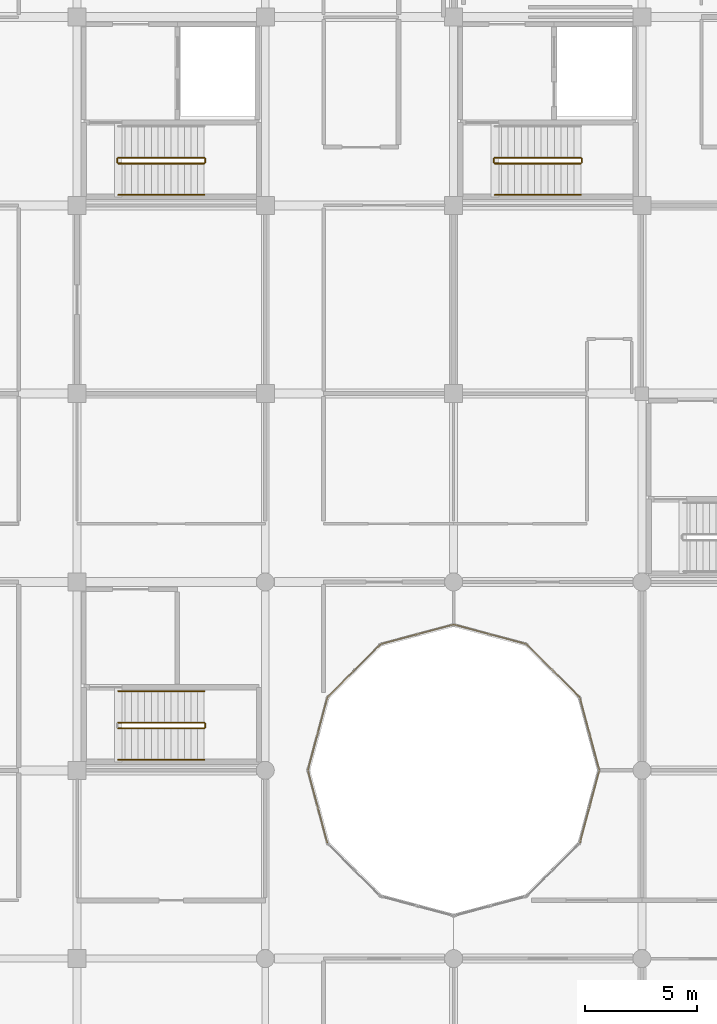
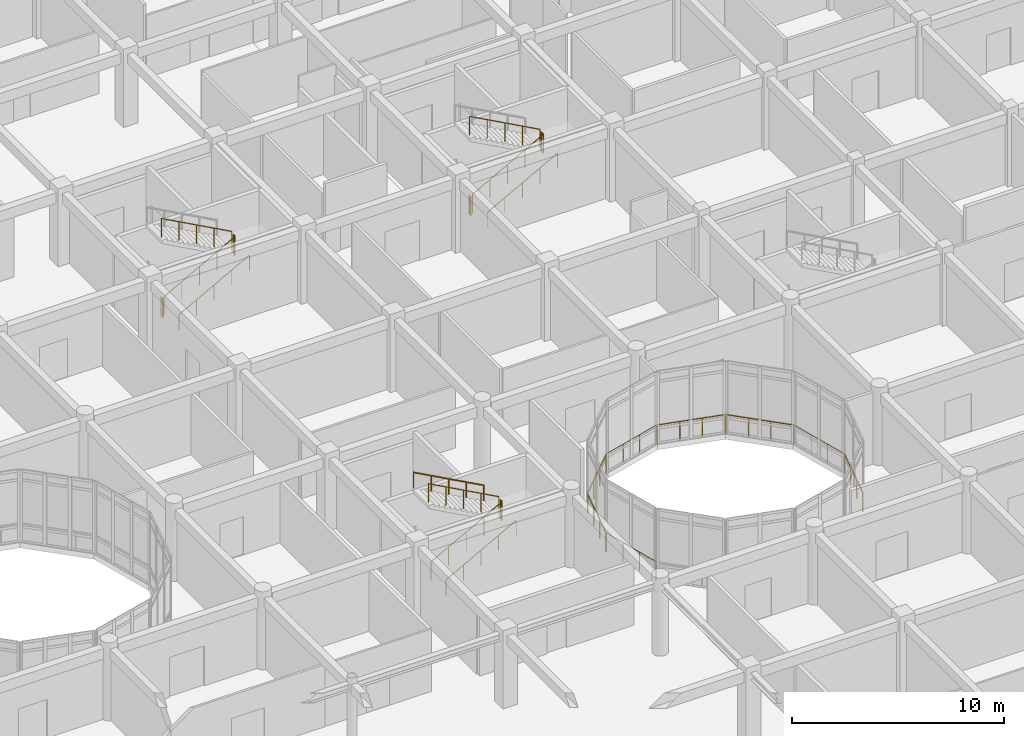
# One storey, part 137 of 144: 23 railings.
"""IFC4 building model written with IfcOpenShell, lengths in metres."""

from ifc_helpers import new_model, si_unit, direction, frame, origin, origin_2d, place, context, subcontext, project, spatial, circle, extrude, material, type_object, element, save


model = new_model("IFC4")

# Units and contexts
model_context = context("Model", 3, precision=1e-05, world=origin(), true_north=direction((0.0, 1.0)))
body_context = subcontext(model_context, "Body", "Model", "MODEL_VIEW")
ifc_project = project(units=[si_unit("LENGTHUNIT", "METRE"), si_unit("AREAUNIT", "SQUARE_METRE"), si_unit("VOLUMEUNIT", "CUBIC_METRE"), si_unit("PLANEANGLEUNIT", "RADIAN"), si_unit("MASSUNIT", "GRAM", prefix="KILO")], contexts=[model_context])

# Site, building, storey
site_placement = place(None, origin())
site = spatial("IfcSite", under=ifc_project, at=site_placement, CompositionType="ELEMENT")
building_placement = place(site_placement, origin())
building = spatial("IfcBuilding", under=site, at=building_placement, Name="Bramfleet General Hospital", CompositionType="ELEMENT")
storey_placement = place(building_placement, frame((0.0, 0.0, 4.800048828125)))
storey = spatial("IfcBuildingStorey", under=building, at=storey_placement, Name="L01", CompositionType="ELEMENT", Elevation=4.800048828125)

# Railings
ifc_material_1 = material(Name="Stainless steel 1.4401 safety balustrade", Category="steel")
railing_type_1 = type_object("IfcRailingType", Name="RAIL-EXT-GUARD", PredefinedType="GUARDRAIL", material=ifc_material_1)
railing_1_placement = place(storey_placement, frame((111.10595703125, 67.16455078125, 0.0)))
element("IfcRailing", 1, at=railing_1_placement, inside=storey, type_object=railing_type_1, Name="L01 Safety Guard Rail 61", PredefinedType="GUARDRAIL", context=body_context, shape_type="SweptSolid", body=[
    extrude(circle(Radius=0.02392578125, at=origin_2d()), frame((0.0, 0.0, 1.076171875), z_axis=(0.25882996935, -0.96592289908, 0.0), x_axis=(0.96592289908, 0.25882996935, 0.0)), (0.0, 0.0, 1.0), 3.29296875),
    extrude(circle(Radius=0.02099609375, at=origin_2d()), origin(), (0.0, 0.0, 1.0), 1.052001953125),
    extrude(circle(Radius=0.02099609375, at=origin_2d()), frame((0.2841796875, -1.060302734375, 0.0)), (0.0, 0.0, 1.0), 1.052001953125),
    extrude(circle(Radius=0.02099609375, at=origin_2d()), frame((0.568115234375, -2.120361328125, 0.0)), (0.0, 0.0, 1.0), 1.052001953125),
    extrude(circle(Radius=0.02099609375, at=origin_2d()), frame((0.852294921875, -3.1806640625, 0.0)), (0.0, 0.0, 1.0), 1.052001953125),
])
railing_2_placement = place(storey_placement, frame((123.24169921875, 63.98388671875, 0.0)))
element("IfcRailing", 2, at=railing_2_placement, inside=storey, type_object=railing_type_1, Name="L01 Safety Guard Rail 66", PredefinedType="GUARDRAIL", context=body_context, shape_type="SweptSolid", body=[
    extrude(circle(Radius=0.02392578125, at=origin_2d()), frame((0.0, 0.0, 1.076171875), z_axis=(0.25882996935, 0.96592289908, 0.0), x_axis=(-0.96592289908, 0.25882996935, 0.0)), (0.0, 0.0, 1.0), 3.29296875),
    extrude(circle(Radius=0.02099609375, at=origin_2d()), origin(), (0.0, 0.0, 1.0), 1.052001953125),
    extrude(circle(Radius=0.02099609375, at=origin_2d()), frame((0.2841796875, 1.060302734375, 0.0)), (0.0, 0.0, 1.0), 1.052001953125),
    extrude(circle(Radius=0.02099609375, at=origin_2d()), frame((0.568115234375, 2.120361328125, 0.0)), (0.0, 0.0, 1.0), 1.052001953125),
    extrude(circle(Radius=0.02099609375, at=origin_2d()), frame((0.852294921875, 3.1806640625, 0.0)), (0.0, 0.0, 1.0), 1.052001953125),
])
railing_3_placement = place(storey_placement, frame((124.093994140625, 67.235595703125, 0.0)))
element("IfcRailing", 3, at=railing_3_placement, inside=storey, type_object=railing_type_1, Name="L01 Safety Guard Rail 67", PredefinedType="GUARDRAIL", context=body_context, shape_type="SweptSolid", body=[
    extrude(circle(Radius=0.02392578125, at=origin_2d()), frame((0.0, 0.0, 1.076171875), z_axis=(-0.25882996935, 0.96592289908, 0.0), x_axis=(-0.96592289908, -0.25882996935, 0.0)), (0.0, 0.0, 1.0), 3.29296875),
    extrude(circle(Radius=0.02099609375, at=origin_2d()), origin(), (0.0, 0.0, 1.0), 1.052001953125),
    extrude(circle(Radius=0.02099609375, at=origin_2d()), frame((-0.2841796875, 1.060302734375, 0.0)), (0.0, 0.0, 1.0), 1.052001953125),
    extrude(circle(Radius=0.02099609375, at=origin_2d()), frame((-0.568115234375, 2.120361328125, 0.0)), (0.0, 0.0, 1.0), 1.052001953125),
    extrude(circle(Radius=0.02099609375, at=origin_2d()), frame((-0.852294921875, 3.1806640625, 0.0)), (0.0, 0.0, 1.0), 1.052001953125),
])
railing_4_placement = place(storey_placement, frame((123.206298828125, 70.477783203125, 0.0)))
element("IfcRailing", 4, at=railing_4_placement, inside=storey, type_object=railing_type_1, Name="L01 Safety Guard Rail 68", PredefinedType="GUARDRAIL", context=body_context, shape_type="SweptSolid", body=[
    extrude(circle(Radius=0.02392578125, at=origin_2d()), frame((0.0, 0.0, 1.076171875), z_axis=(-0.707143850033, 0.707069710397, 0.0), x_axis=(-0.707069710397, -0.707143850033, 0.0)), (0.0, 0.0, 1.0), 3.29296875),
    extrude(circle(Radius=0.02099609375, at=origin_2d()), origin(), (0.0, 0.0, 1.0), 1.052001953125),
    extrude(circle(Radius=0.02099609375, at=origin_2d()), frame((-0.776123046875, 0.776123046875, 0.0)), (0.0, 0.0, 1.0), 1.052001953125),
    extrude(circle(Radius=0.02099609375, at=origin_2d()), frame((-1.552490234375, 1.55224609375, 0.0)), (0.0, 0.0, 1.0), 1.052001953125),
    extrude(circle(Radius=0.02099609375, at=origin_2d()), frame((-2.32861328125, 2.328369140625, 0.0)), (0.0, 0.0, 1.0), 1.052001953125),
])
railing_5_placement = place(storey_placement, frame((120.816162109375, 72.841796875, 0.0)))
element("IfcRailing", 5, at=railing_5_placement, inside=storey, type_object=railing_type_1, Name="L01 Safety Guard Rail 69", PredefinedType="GUARDRAIL", context=body_context, shape_type="SweptSolid", body=[
    extrude(circle(Radius=0.02392578125, at=origin_2d()), frame((0.0, 0.0, 1.076171875), z_axis=(-0.96592289908, 0.25882996935, 0.0), x_axis=(-0.25882996935, -0.96592289908, 0.0)), (0.0, 0.0, 1.0), 3.29296875),
    extrude(circle(Radius=0.02099609375, at=origin_2d()), origin(), (0.0, 0.0, 1.0), 1.052001953125),
    extrude(circle(Radius=0.02099609375, at=origin_2d()), frame((-1.060302734375, 0.2841796875, 0.0)), (0.0, 0.0, 1.0), 1.052001953125),
    extrude(circle(Radius=0.02099609375, at=origin_2d()), frame((-2.120361328125, 0.568115234375, 0.0)), (0.0, 0.0, 1.0), 1.052001953125),
    extrude(circle(Radius=0.02099609375, at=origin_2d()), frame((-3.1806640625, 0.852294921875, 0.0)), (0.0, 0.0, 1.0), 1.052001953125),
])
railing_6_placement = place(storey_placement, frame((117.564453125, 73.694091796875, 0.0)))
element("IfcRailing", 6, at=railing_6_placement, inside=storey, type_object=railing_type_1, Name="L01 Safety Guard Rail 70", PredefinedType="GUARDRAIL", context=body_context, shape_type="SweptSolid", body=[
    extrude(circle(Radius=0.02392578125, at=origin_2d()), frame((0.0, 0.0, 1.076171875), z_axis=(-0.96592289908, -0.25882996935, 0.0), x_axis=(0.25882996935, -0.96592289908, 0.0)), (0.0, 0.0, 1.0), 3.29296875),
    extrude(circle(Radius=0.02099609375, at=origin_2d()), origin(), (0.0, 0.0, 1.0), 1.052001953125),
    extrude(circle(Radius=0.02099609375, at=origin_2d()), frame((-1.060302734375, -0.2841796875, 0.0)), (0.0, 0.0, 1.0), 1.052001953125),
    extrude(circle(Radius=0.02099609375, at=origin_2d()), frame((-2.120361328125, -0.568115234375, 0.0)), (0.0, 0.0, 1.0), 1.052001953125),
    extrude(circle(Radius=0.02099609375, at=origin_2d()), frame((-3.1806640625, -0.852294921875, 0.0)), (0.0, 0.0, 1.0), 1.052001953125),
])
railing_7_placement = place(storey_placement, frame((114.322265625, 72.80615234375, 0.0)))
element("IfcRailing", 7, at=railing_7_placement, inside=storey, type_object=railing_type_1, Name="L01 Safety Guard Rail 71", PredefinedType="GUARDRAIL", context=body_context, shape_type="SweptSolid", body=[
    extrude(circle(Radius=0.02392578125, at=origin_2d()), frame((0.0, 0.0, 1.076171875), z_axis=(-0.707106781187, -0.707106781187, 0.0), x_axis=(0.707106781187, -0.707106781187, 0.0)), (0.0, 0.0, 1.0), 3.292724609375),
    extrude(circle(Radius=0.02099609375, at=origin_2d()), origin(), (0.0, 0.0, 1.0), 1.052001953125),
    extrude(circle(Radius=0.02099609375, at=origin_2d()), frame((-0.776123046875, -0.776123046875, 0.0)), (0.0, 0.0, 1.0), 1.052001953125),
    extrude(circle(Radius=0.02099609375, at=origin_2d()), frame((-1.55224609375, -1.55224609375, 0.0)), (0.0, 0.0, 1.0), 1.052001953125),
    extrude(circle(Radius=0.02099609375, at=origin_2d()), frame((-2.328369140625, -2.328369140625, 0.0)), (0.0, 0.0, 1.0), 1.052001953125),
])
railing_8_placement = place(storey_placement, frame((111.958251953125, 70.416259765625, 0.0)))
element("IfcRailing", 8, at=railing_8_placement, inside=storey, type_object=railing_type_1, Name="L01 Safety Guard Rail 72", PredefinedType="GUARDRAIL", context=body_context, shape_type="SweptSolid", body=[
    extrude(circle(Radius=0.02392578125, at=origin_2d()), frame((0.0, 0.0, 1.076171875), z_axis=(-0.25882996935, -0.96592289908, 0.0), x_axis=(0.96592289908, -0.25882996935, 0.0)), (0.0, 0.0, 1.0), 3.29296875),
    extrude(circle(Radius=0.02099609375, at=origin_2d()), origin(), (0.0, 0.0, 1.0), 1.052001953125),
    extrude(circle(Radius=0.02099609375, at=origin_2d()), frame((-0.2841796875, -1.060302734375, 0.0)), (0.0, 0.0, 1.0), 1.052001953125),
    extrude(circle(Radius=0.02099609375, at=origin_2d()), frame((-0.568115234375, -2.120361328125, 0.0)), (0.0, 0.0, 1.0), 1.052001953125),
    extrude(circle(Radius=0.02099609375, at=origin_2d()), frame((-0.852294921875, -3.1806640625, 0.0)), (0.0, 0.0, 1.0), 1.052001953125),
])
ifc_material_2 = material(Name="Powder-coated steel stair balustrade", Category="steel")
railing_type_2 = type_object("IfcRailingType", Name="RAIL-ST-GUARD", PredefinedType="GUARDRAIL", material=ifc_material_2)
railing_9_placement = place(storey_placement, frame((102.639892578125, 94.27001953125, 0.16064453125)))
element("IfcRailing", 9, at=railing_9_placement, inside=storey, type_object=railing_type_2, Name="L01 ST-C4 stair guard 1", PredefinedType="GUARDRAIL", context=body_context, shape_type="SweptSolid", body=[
    extrude(circle(Radius=0.02392578125, at=origin_2d()), frame((0.0, 0.0, 1.076171875), z_axis=(0.878143269688, 0.0, 0.478397740276), x_axis=(0.0, 1.0, 0.0)), (0.0, 0.0, 1.0), 4.367431640625),
    extrude(circle(Radius=0.02099609375, at=origin_2d()), origin(), (0.0, 0.0, 1.0), 1.052001953125),
    extrude(circle(Radius=0.02099609375, at=origin_2d()), frame((0.958740234375, 0.0, 0.5224609375)), (0.0, 0.0, 1.0), 1.052001953125),
    extrude(circle(Radius=0.02099609375, at=origin_2d()), frame((1.91748046875, 0.0, 1.044677734375)), (0.0, 0.0, 1.0), 1.052001953125),
    extrude(circle(Radius=0.02099609375, at=origin_2d()), frame((2.87646484375, 0.0, 1.56689453125)), (0.0, 0.0, 1.0), 1.052001953125),
    extrude(circle(Radius=0.02099609375, at=origin_2d()), frame((3.835205078125, 0.0, 2.08935546875)), (0.0, 0.0, 1.0), 1.052001953125),
])
railing_10_placement = place(storey_placement, frame((106.52490234375, 94.320068359375, 2.25)))
element("IfcRailing", 10, at=railing_10_placement, inside=storey, type_object=railing_type_2, Name="L01 ST-C4 stair guard 2", PredefinedType="GUARDRAIL", context=body_context, shape_type="SweptSolid", body=[
    extrude(circle(Radius=0.02392578125, at=origin_2d()), frame((0.0, 0.0, 1.076171875), z_axis=(0.0, 1.0, 0.0), x_axis=(-1.0, 0.0, 0.0)), (0.0, 0.0, 1.0), 0.159912109375),
    extrude(circle(Radius=0.02099609375, at=origin_2d()), origin(), (0.0, 0.0, 1.0), 1.052001953125),
    extrude(circle(Radius=0.02099609375, at=origin_2d()), frame((0.0, 0.159912109375, 0.0)), (0.0, 0.0, 1.0), 1.052001953125),
])
railing_11_placement = place(storey_placement, frame((106.47509765625, 94.530029296875, 2.41064453125)))
element("IfcRailing", 11, at=railing_11_placement, inside=storey, type_object=railing_type_2, Name="L01 ST-C4 stair guard 3", PredefinedType="GUARDRAIL", context=body_context, shape_type="SweptSolid", body=[
    extrude(circle(Radius=0.02392578125, at=origin_2d()), frame((0.0, 0.0, 1.076171875), z_axis=(-0.878143269688, 0.0, 0.478397740276), x_axis=(0.0, -1.0, 0.0)), (0.0, 0.0, 1.0), 4.367431640625),
    extrude(circle(Radius=0.02099609375, at=origin_2d()), origin(), (0.0, 0.0, 1.0), 1.052001953125),
    extrude(circle(Radius=0.02099609375, at=origin_2d()), frame((-0.958740234375, 0.0, 0.5224609375)), (0.0, 0.0, 1.0), 1.052001953125),
    extrude(circle(Radius=0.02099609375, at=origin_2d()), frame((-1.91748046875, 0.0, 1.044677734375)), (0.0, 0.0, 1.0), 1.052001953125),
    extrude(circle(Radius=0.02099609375, at=origin_2d()), frame((-2.87646484375, 0.0, 1.56689453125)), (0.0, 0.0, 1.0), 1.052001953125),
    extrude(circle(Radius=0.02099609375, at=origin_2d()), frame((-3.835205078125, 0.0, 2.08935546875)), (0.0, 0.0, 1.0), 1.052001953125),
])
railing_12_placement = place(storey_placement, frame((102.590087890625, 94.320068359375, 0.0)))
element("IfcRailing", 12, at=railing_12_placement, inside=storey, type_object=railing_type_2, Name="L01 ST-C4 stair guard 4", PredefinedType="GUARDRAIL", context=body_context, shape_type="SweptSolid", body=[
    extrude(circle(Radius=0.02392578125, at=origin_2d()), frame((0.0, 0.0, 1.076171875), z_axis=(0.0, 1.0, 0.0), x_axis=(-1.0, 0.0, 0.0)), (0.0, 0.0, 1.0), 0.159912109375),
    extrude(circle(Radius=0.02099609375, at=origin_2d()), origin(), (0.0, 0.0, 1.0), 1.052001953125),
    extrude(circle(Radius=0.02099609375, at=origin_2d()), frame((0.0, 0.159912109375, 0.0)), (0.0, 0.0, 1.0), 1.052001953125),
])
railing_13_placement = place(storey_placement, frame((119.43994140625, 94.27001953125, 0.16064453125)))
element("IfcRailing", 13, at=railing_13_placement, inside=storey, type_object=railing_type_2, Name="L01 ST-C6 stair guard 1", PredefinedType="GUARDRAIL", context=body_context, shape_type="SweptSolid", body=[
    extrude(circle(Radius=0.02392578125, at=origin_2d()), frame((0.0, 0.0, 1.076171875), z_axis=(0.878130475078, 0.0, 0.478421225218), x_axis=(0.0, 1.0, 0.0)), (0.0, 0.0, 1.0), 4.3671875),
    extrude(circle(Radius=0.02099609375, at=origin_2d()), origin(), (0.0, 0.0, 1.0), 1.052001953125),
    extrude(circle(Radius=0.02099609375, at=origin_2d()), frame((0.958740234375, 0.0, 0.5224609375)), (0.0, 0.0, 1.0), 1.052001953125),
    extrude(circle(Radius=0.02099609375, at=origin_2d()), frame((1.91748046875, 0.0, 1.044677734375)), (0.0, 0.0, 1.0), 1.052001953125),
    extrude(circle(Radius=0.02099609375, at=origin_2d()), frame((2.876220703125, 0.0, 1.56689453125)), (0.0, 0.0, 1.0), 1.052001953125),
    extrude(circle(Radius=0.02099609375, at=origin_2d()), frame((3.8349609375, 0.0, 2.08935546875)), (0.0, 0.0, 1.0), 1.052001953125),
])
railing_14_placement = place(storey_placement, frame((123.324951171875, 94.320068359375, 2.25)))
element("IfcRailing", 14, at=railing_14_placement, inside=storey, type_object=railing_type_2, Name="L01 ST-C6 stair guard 2", PredefinedType="GUARDRAIL", context=body_context, shape_type="SweptSolid", body=[
    extrude(circle(Radius=0.02392578125, at=origin_2d()), frame((0.0, 0.0, 1.076171875), z_axis=(0.0, 1.0, 0.0), x_axis=(-1.0, 0.0, 0.0)), (0.0, 0.0, 1.0), 0.159912109375),
    extrude(circle(Radius=0.02099609375, at=origin_2d()), origin(), (0.0, 0.0, 1.0), 1.052001953125),
    extrude(circle(Radius=0.02099609375, at=origin_2d()), frame((0.0, 0.159912109375, 0.0)), (0.0, 0.0, 1.0), 1.052001953125),
])
railing_15_placement = place(storey_placement, frame((123.27490234375, 94.530029296875, 2.41064453125)))
element("IfcRailing", 15, at=railing_15_placement, inside=storey, type_object=railing_type_2, Name="L01 ST-C6 stair guard 3", PredefinedType="GUARDRAIL", context=body_context, shape_type="SweptSolid", body=[
    extrude(circle(Radius=0.02392578125, at=origin_2d()), frame((0.0, 0.0, 1.076171875), z_axis=(-0.878130475078, 0.0, 0.478421225218), x_axis=(0.0, -1.0, 0.0)), (0.0, 0.0, 1.0), 4.3671875),
    extrude(circle(Radius=0.02099609375, at=origin_2d()), origin(), (0.0, 0.0, 1.0), 1.052001953125),
    extrude(circle(Radius=0.02099609375, at=origin_2d()), frame((-0.958740234375, 0.0, 0.5224609375)), (0.0, 0.0, 1.0), 1.052001953125),
    extrude(circle(Radius=0.02099609375, at=origin_2d()), frame((-1.91748046875, 0.0, 1.044677734375)), (0.0, 0.0, 1.0), 1.052001953125),
    extrude(circle(Radius=0.02099609375, at=origin_2d()), frame((-2.876220703125, 0.0, 1.56689453125)), (0.0, 0.0, 1.0), 1.052001953125),
    extrude(circle(Radius=0.02099609375, at=origin_2d()), frame((-3.8349609375, 0.0, 2.08935546875)), (0.0, 0.0, 1.0), 1.052001953125),
])
railing_16_placement = place(storey_placement, frame((119.389892578125, 94.320068359375, 0.0)))
element("IfcRailing", 16, at=railing_16_placement, inside=storey, type_object=railing_type_2, Name="L01 ST-C6 stair guard 4", PredefinedType="GUARDRAIL", context=body_context, shape_type="SweptSolid", body=[
    extrude(circle(Radius=0.02392578125, at=origin_2d()), frame((0.0, 0.0, 1.076171875), z_axis=(0.0, 1.0, 0.0), x_axis=(-1.0, 0.0, 0.0)), (0.0, 0.0, 1.0), 0.159912109375),
    extrude(circle(Radius=0.02099609375, at=origin_2d()), origin(), (0.0, 0.0, 1.0), 1.052001953125),
    extrude(circle(Radius=0.02099609375, at=origin_2d()), frame((0.0, 0.159912109375, 0.0)), (0.0, 0.0, 1.0), 1.052001953125),
])
railing_17_placement = place(storey_placement, frame((102.639892578125, 69.070068359375, 0.16064453125)))
element("IfcRailing", 17, at=railing_17_placement, inside=storey, type_object=railing_type_2, Name="L01 ST-C11 stair guard 1", PredefinedType="GUARDRAIL", context=body_context, shape_type="SweptSolid", body=[
    extrude(circle(Radius=0.02392578125, at=origin_2d()), frame((0.0, 0.0, 1.076171875), z_axis=(0.878143269688, 0.0, 0.478397740276), x_axis=(0.0, 1.0, 0.0)), (0.0, 0.0, 1.0), 4.367431640625),
    extrude(circle(Radius=0.02099609375, at=origin_2d()), origin(), (0.0, 0.0, 1.0), 1.052001953125),
    extrude(circle(Radius=0.02099609375, at=origin_2d()), frame((0.958740234375, 0.0, 0.5224609375)), (0.0, 0.0, 1.0), 1.052001953125),
    extrude(circle(Radius=0.02099609375, at=origin_2d()), frame((1.91748046875, 0.0, 1.044677734375)), (0.0, 0.0, 1.0), 1.052001953125),
    extrude(circle(Radius=0.02099609375, at=origin_2d()), frame((2.87646484375, 0.0, 1.56689453125)), (0.0, 0.0, 1.0), 1.052001953125),
    extrude(circle(Radius=0.02099609375, at=origin_2d()), frame((3.835205078125, 0.0, 2.08935546875)), (0.0, 0.0, 1.0), 1.052001953125),
])
railing_18_placement = place(storey_placement, frame((106.52490234375, 69.1201171875, 2.25)))
element("IfcRailing", 18, at=railing_18_placement, inside=storey, type_object=railing_type_2, Name="L01 ST-C11 stair guard 2", PredefinedType="GUARDRAIL", context=body_context, shape_type="SweptSolid", body=[
    extrude(circle(Radius=0.02392578125, at=origin_2d()), frame((0.0, 0.0, 1.076171875), z_axis=(0.0, 1.0, 0.0), x_axis=(-1.0, 0.0, 0.0)), (0.0, 0.0, 1.0), 0.159912109375),
    extrude(circle(Radius=0.02099609375, at=origin_2d()), origin(), (0.0, 0.0, 1.0), 1.052001953125),
    extrude(circle(Radius=0.02099609375, at=origin_2d()), frame((0.0, 0.159912109375, 0.0)), (0.0, 0.0, 1.0), 1.052001953125),
])
railing_19_placement = place(storey_placement, frame((106.47509765625, 69.330078125, 2.41064453125)))
element("IfcRailing", 19, at=railing_19_placement, inside=storey, type_object=railing_type_2, Name="L01 ST-C11 stair guard 3", PredefinedType="GUARDRAIL", context=body_context, shape_type="SweptSolid", body=[
    extrude(circle(Radius=0.02392578125, at=origin_2d()), frame((0.0, 0.0, 1.076171875), z_axis=(-0.878143269688, 0.0, 0.478397740276), x_axis=(0.0, -1.0, 0.0)), (0.0, 0.0, 1.0), 4.367431640625),
    extrude(circle(Radius=0.02099609375, at=origin_2d()), origin(), (0.0, 0.0, 1.0), 1.052001953125),
    extrude(circle(Radius=0.02099609375, at=origin_2d()), frame((-0.958740234375, 0.0, 0.5224609375)), (0.0, 0.0, 1.0), 1.052001953125),
    extrude(circle(Radius=0.02099609375, at=origin_2d()), frame((-1.91748046875, 0.0, 1.044677734375)), (0.0, 0.0, 1.0), 1.052001953125),
    extrude(circle(Radius=0.02099609375, at=origin_2d()), frame((-2.87646484375, 0.0, 1.56689453125)), (0.0, 0.0, 1.0), 1.052001953125),
    extrude(circle(Radius=0.02099609375, at=origin_2d()), frame((-3.835205078125, 0.0, 2.08935546875)), (0.0, 0.0, 1.0), 1.052001953125),
])
ifc_material_3 = material(Name="Stainless steel 1.4301 stair handrail", Category="steel")
railing_type_3 = type_object("IfcRailingType", Name="RAIL-ST-HND", PredefinedType="HANDRAIL", material=ifc_material_3)
railing_20_placement = place(storey_placement, frame((102.639892578125, 92.8701171875, 0.16064453125)))
element("IfcRailing", 20, at=railing_20_placement, inside=storey, type_object=railing_type_3, Name="L01 ST-C4 stair handrail 1", PredefinedType="HANDRAIL", context=body_context, shape_type="SweptSolid", body=[
    extrude(circle(Radius=0.02392578125, at=origin_2d()), frame((0.0, 0.0, 0.8759765625), z_axis=(0.878143269688, 0.0, 0.478397740276), x_axis=(0.0, 1.0, 0.0)), (0.0, 0.0, 1.0), 4.367431640625),
    extrude(circle(Radius=0.02099609375, at=origin_2d()), origin(), (0.0, 0.0, 1.0), 0.851806640625),
    extrude(circle(Radius=0.02099609375, at=origin_2d()), frame((0.958740234375, 0.0, 0.5224609375)), (0.0, 0.0, 1.0), 0.851806640625),
    extrude(circle(Radius=0.02099609375, at=origin_2d()), frame((1.91748046875, 0.0, 1.044677734375)), (0.0, 0.0, 1.0), 0.851806640625),
    extrude(circle(Radius=0.02099609375, at=origin_2d()), frame((2.87646484375, 0.0, 1.56689453125)), (0.0, 0.0, 1.0), 0.851806640625),
    extrude(circle(Radius=0.02099609375, at=origin_2d()), frame((3.835205078125, 0.0, 2.08935546875)), (0.0, 0.0, 1.0), 0.851806640625),
])
railing_21_placement = place(storey_placement, frame((119.43994140625, 92.8701171875, 0.16064453125)))
element("IfcRailing", 21, at=railing_21_placement, inside=storey, type_object=railing_type_3, Name="L01 ST-C6 stair handrail 1", PredefinedType="HANDRAIL", context=body_context, shape_type="SweptSolid", body=[
    extrude(circle(Radius=0.02392578125, at=origin_2d()), frame((0.0, 0.0, 0.8759765625), z_axis=(0.878130475078, 0.0, 0.478421225218), x_axis=(0.0, 1.0, 0.0)), (0.0, 0.0, 1.0), 4.3671875),
    extrude(circle(Radius=0.02099609375, at=origin_2d()), origin(), (0.0, 0.0, 1.0), 0.851806640625),
    extrude(circle(Radius=0.02099609375, at=origin_2d()), frame((0.958740234375, 0.0, 0.5224609375)), (0.0, 0.0, 1.0), 0.851806640625),
    extrude(circle(Radius=0.02099609375, at=origin_2d()), frame((1.91748046875, 0.0, 1.044677734375)), (0.0, 0.0, 1.0), 0.851806640625),
    extrude(circle(Radius=0.02099609375, at=origin_2d()), frame((2.876220703125, 0.0, 1.56689453125)), (0.0, 0.0, 1.0), 0.851806640625),
    extrude(circle(Radius=0.02099609375, at=origin_2d()), frame((3.8349609375, 0.0, 2.08935546875)), (0.0, 0.0, 1.0), 0.851806640625),
])
railing_22_placement = place(storey_placement, frame((102.639892578125, 67.669921875, 0.16064453125)))
element("IfcRailing", 22, at=railing_22_placement, inside=storey, type_object=railing_type_3, Name="L01 ST-C11 stair handrail 1", PredefinedType="HANDRAIL", context=body_context, shape_type="SweptSolid", body=[
    extrude(circle(Radius=0.02392578125, at=origin_2d()), frame((0.0, 0.0, 0.8759765625), z_axis=(0.878143269688, 0.0, 0.478397740276), x_axis=(0.0, 1.0, 0.0)), (0.0, 0.0, 1.0), 4.367431640625),
    extrude(circle(Radius=0.02099609375, at=origin_2d()), origin(), (0.0, 0.0, 1.0), 0.851806640625),
    extrude(circle(Radius=0.02099609375, at=origin_2d()), frame((0.958740234375, 0.0, 0.5224609375)), (0.0, 0.0, 1.0), 0.851806640625),
    extrude(circle(Radius=0.02099609375, at=origin_2d()), frame((1.91748046875, 0.0, 1.044677734375)), (0.0, 0.0, 1.0), 0.851806640625),
    extrude(circle(Radius=0.02099609375, at=origin_2d()), frame((2.87646484375, 0.0, 1.56689453125)), (0.0, 0.0, 1.0), 0.851806640625),
    extrude(circle(Radius=0.02099609375, at=origin_2d()), frame((3.835205078125, 0.0, 2.08935546875)), (0.0, 0.0, 1.0), 0.851806640625),
])
railing_23_placement = place(storey_placement, frame((106.47509765625, 70.72998046875, 2.41064453125)))
element("IfcRailing", 23, at=railing_23_placement, inside=storey, type_object=railing_type_3, Name="L01 ST-C11 stair handrail 2", PredefinedType="HANDRAIL", context=body_context, shape_type="SweptSolid", body=[
    extrude(circle(Radius=0.02392578125, at=origin_2d()), frame((0.0, 0.0, 0.8759765625), z_axis=(-0.878143269688, 0.0, 0.478397740276), x_axis=(0.0, -1.0, 0.0)), (0.0, 0.0, 1.0), 4.367431640625),
    extrude(circle(Radius=0.02099609375, at=origin_2d()), origin(), (0.0, 0.0, 1.0), 0.851806640625),
    extrude(circle(Radius=0.02099609375, at=origin_2d()), frame((-0.958740234375, 0.0, 0.5224609375)), (0.0, 0.0, 1.0), 0.851806640625),
    extrude(circle(Radius=0.02099609375, at=origin_2d()), frame((-1.91748046875, 0.0, 1.044677734375)), (0.0, 0.0, 1.0), 0.851806640625),
    extrude(circle(Radius=0.02099609375, at=origin_2d()), frame((-2.87646484375, 0.0, 1.56689453125)), (0.0, 0.0, 1.0), 0.851806640625),
    extrude(circle(Radius=0.02099609375, at=origin_2d()), frame((-3.835205078125, 0.0, 2.08935546875)), (0.0, 0.0, 1.0), 0.851806640625),
])

save(model, "model.ifc")
